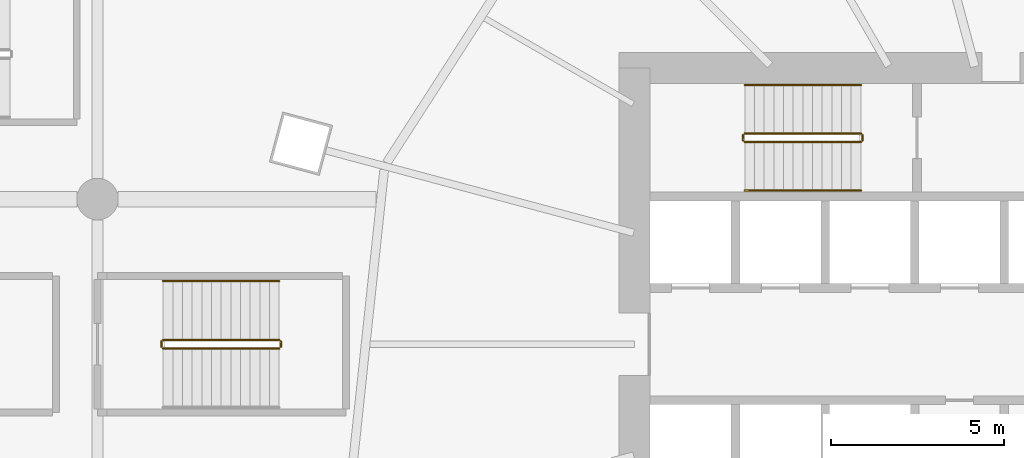
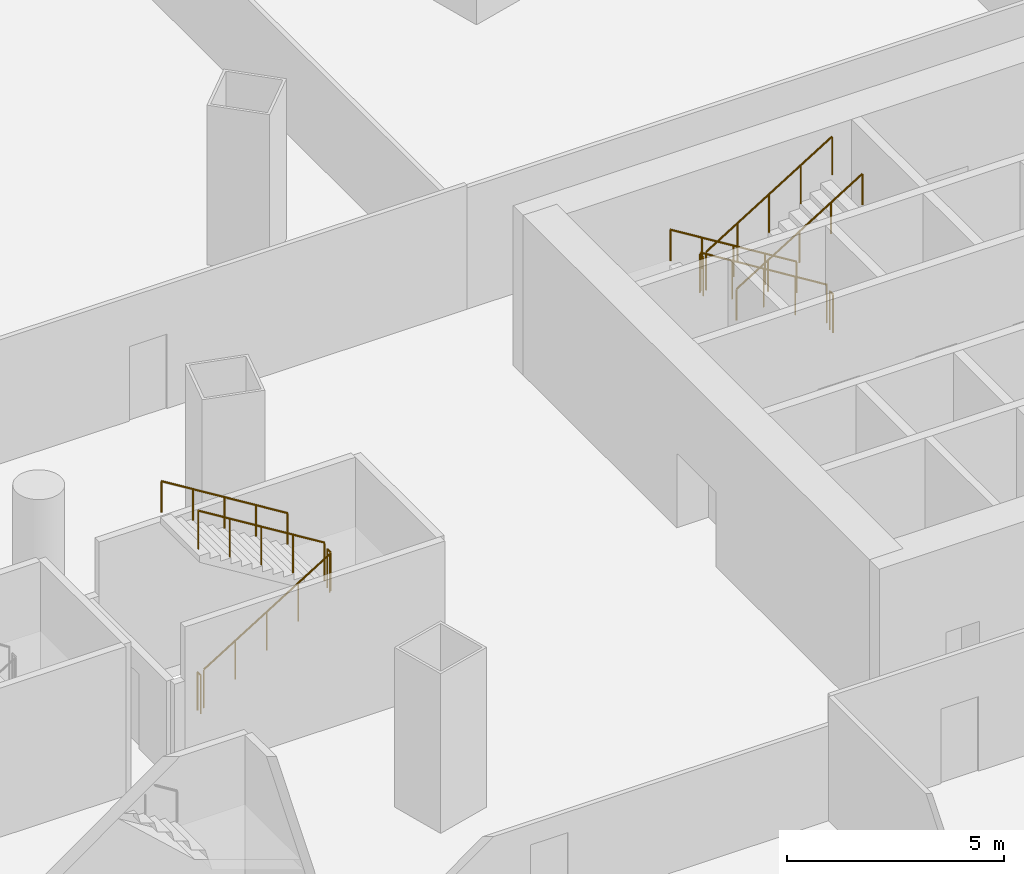
# One storey, part 40 of 43: 11 railings.
"""IFC4 building model written with IfcOpenShell, lengths in metres."""

from ifc_helpers import new_model, si_unit, direction, frame, origin, origin_2d, place, context, subcontext, project, spatial, circle, extrude, material, type_object, element, save


model = new_model("IFC4")

# Units and contexts
model_context = context("Model", 3, precision=1e-05, world=origin(), true_north=direction((0.0, 1.0)))
body_context = subcontext(model_context, "Body", "Model", "MODEL_VIEW")
ifc_project = project(units=[si_unit("LENGTHUNIT", "METRE"), si_unit("AREAUNIT", "SQUARE_METRE"), si_unit("VOLUMEUNIT", "CUBIC_METRE"), si_unit("PLANEANGLEUNIT", "RADIAN"), si_unit("MASSUNIT", "GRAM", prefix="KILO")], contexts=[model_context])

# Site, building, storey
site_placement = place(None, origin())
site = spatial("IfcSite", under=ifc_project, at=site_placement, CompositionType="ELEMENT")
building_placement = place(site_placement, origin())
building = spatial("IfcBuilding", under=site, at=building_placement, Name="Rimbun Link Towers", CompositionType="ELEMENT")
storey_placement = place(building_placement, frame((0.0, 0.0, 12.0)))
storey = spatial("IfcBuildingStorey", under=building, at=storey_placement, Name="L02", CompositionType="ELEMENT", Elevation=12.0)

# Railings
ifc_material_1 = material(Name="Stainless steel grade 316", Category="steel")
railing_type_1 = type_object("IfcRailingType", Name="Stair guard", PredefinedType="GUARDRAIL", material=ifc_material_1)
railing_1_placement = place(storey_placement, frame((26.300048828125, 6.10009765625, 0.173095703125)))
element("IfcRailing", 1, at=railing_1_placement, inside=storey, type_object=railing_type_1, Name="L02 ST3 stair guard 1", PredefinedType="GUARDRAIL", context=body_context, shape_type="SweptSolid", body=[
    extrude(circle(Radius=0.02392578125, at=origin_2d()), frame((0.0, 0.0, 1.076171875), z_axis=(-0.850623216509, 0.0, 0.525775754039), x_axis=(0.0, -1.0, 0.0)), (0.0, 0.0, 1.0), 3.9501953125),
    extrude(circle(Radius=0.02099609375, at=origin_2d()), origin(), (0.0, 0.0, 1.0), 1.052001953125),
    extrude(circle(Radius=0.02099609375, at=origin_2d()), frame((-0.840087890625, 0.0, 0.519287109375)), (0.0, 0.0, 1.0), 1.052001953125),
    extrude(circle(Radius=0.02099609375, at=origin_2d()), frame((-1.68017578125, 0.0, 1.03857421875)), (0.0, 0.0, 1.0), 1.052001953125),
    extrude(circle(Radius=0.02099609375, at=origin_2d()), frame((-2.52001953125, 0.0, 1.5576171875)), (0.0, 0.0, 1.0), 1.052001953125),
    extrude(circle(Radius=0.02099609375, at=origin_2d()), frame((-3.360107421875, 0.0, 2.076904296875)), (0.0, 0.0, 1.0), 1.052001953125),
])
railing_2_placement = place(storey_placement, frame((22.889892578125, 6.050048828125, 2.25)))
element("IfcRailing", 2, at=railing_2_placement, inside=storey, type_object=railing_type_1, Name="L02 ST3 stair guard 2", PredefinedType="GUARDRAIL", context=body_context, shape_type="SweptSolid", body=[
    extrude(circle(Radius=0.02392578125, at=origin_2d()), frame((0.0, 0.0, 1.076171875), z_axis=(0.0, -1.0, 0.0), x_axis=(1.0, 0.0, 0.0)), (0.0, 0.0, 1.0), 0.150146484375),
    extrude(circle(Radius=0.02099609375, at=origin_2d()), origin(), (0.0, 0.0, 1.0), 1.052001953125),
    extrude(circle(Radius=0.02099609375, at=origin_2d()), frame((0.0, -0.150146484375, 0.0)), (0.0, 0.0, 1.0), 1.052001953125),
])
railing_3_placement = place(storey_placement, frame((22.93994140625, 5.85009765625, 2.423095703125)))
element("IfcRailing", 3, at=railing_3_placement, inside=storey, type_object=railing_type_1, Name="L02 ST3 stair guard 3", PredefinedType="GUARDRAIL", context=body_context, shape_type="SweptSolid", body=[
    extrude(circle(Radius=0.02392578125, at=origin_2d()), frame((0.0, 0.0, 1.076171875), z_axis=(0.850623216509, 0.0, 0.525775754039), x_axis=(0.0, 1.0, 0.0)), (0.0, 0.0, 1.0), 3.9501953125),
    extrude(circle(Radius=0.02099609375, at=origin_2d()), origin(), (0.0, 0.0, 1.0), 1.052001953125),
    extrude(circle(Radius=0.02099609375, at=origin_2d()), frame((0.840087890625, 0.0, 0.519287109375)), (0.0, 0.0, 1.0), 1.052001953125),
    extrude(circle(Radius=0.02099609375, at=origin_2d()), frame((1.68017578125, 0.0, 1.03857421875)), (0.0, 0.0, 1.0), 1.052001953125),
    extrude(circle(Radius=0.02099609375, at=origin_2d()), frame((2.52001953125, 0.0, 1.5576171875)), (0.0, 0.0, 1.0), 1.052001953125),
    extrude(circle(Radius=0.02099609375, at=origin_2d()), frame((3.360107421875, 0.0, 2.076904296875)), (0.0, 0.0, 1.0), 1.052001953125),
])
railing_4_placement = place(storey_placement, frame((26.35009765625, 6.050048828125, 0.0)))
element("IfcRailing", 4, at=railing_4_placement, inside=storey, type_object=railing_type_1, Name="L02 ST3 stair guard 4", PredefinedType="GUARDRAIL", context=body_context, shape_type="SweptSolid", body=[
    extrude(circle(Radius=0.02392578125, at=origin_2d()), frame((0.0, 0.0, 1.076171875), z_axis=(0.0, -1.0, 0.0), x_axis=(1.0, 0.0, 0.0)), (0.0, 0.0, 1.0), 0.150146484375),
    extrude(circle(Radius=0.02099609375, at=origin_2d()), origin(), (0.0, 0.0, 1.0), 1.052001953125),
    extrude(circle(Radius=0.02099609375, at=origin_2d()), frame((0.0, -0.150146484375, 0.0)), (0.0, 0.0, 1.0), 1.052001953125),
])
railing_5_placement = place(storey_placement, frame((6.10009765625, -0.125, 0.173095703125)))
element("IfcRailing", 5, at=railing_5_placement, inside=storey, type_object=railing_type_1, Name="L02 PS5 stair guard 1", PredefinedType="GUARDRAIL", context=body_context, shape_type="SweptSolid", body=[
    extrude(circle(Radius=0.02392578125, at=origin_2d()), frame((0.0, 0.0, 1.076171875), z_axis=(0.850606129759, 0.0, 0.525803396734), x_axis=(0.0, 1.0, 0.0)), (0.0, 0.0, 1.0), 3.949951171875),
    extrude(circle(Radius=0.02099609375, at=origin_2d()), origin(), (0.0, 0.0, 1.0), 1.052001953125),
    extrude(circle(Radius=0.02099609375, at=origin_2d()), frame((0.83984375, 0.0, 0.519287109375)), (0.0, 0.0, 1.0), 1.052001953125),
    extrude(circle(Radius=0.02099609375, at=origin_2d()), frame((1.679931640625, 0.0, 1.03857421875)), (0.0, 0.0, 1.0), 1.052001953125),
    extrude(circle(Radius=0.02099609375, at=origin_2d()), frame((2.52001953125, 0.0, 1.5576171875)), (0.0, 0.0, 1.0), 1.052001953125),
    extrude(circle(Radius=0.02099609375, at=origin_2d()), frame((3.35986328125, 0.0, 2.076904296875)), (0.0, 0.0, 1.0), 1.052001953125),
])
railing_6_placement = place(storey_placement, frame((9.510009765625, -0.074951171875, 2.25)))
element("IfcRailing", 6, at=railing_6_placement, inside=storey, type_object=railing_type_1, Name="L02 PS5 stair guard 2", PredefinedType="GUARDRAIL", context=body_context, shape_type="SweptSolid", body=[
    extrude(circle(Radius=0.02392578125, at=origin_2d()), frame((0.0, 0.0, 1.076171875), z_axis=(0.0, 1.0, 0.0), x_axis=(-1.0, 0.0, 0.0)), (0.0, 0.0, 1.0), 0.14990234375),
    extrude(circle(Radius=0.02099609375, at=origin_2d()), origin(), (0.0, 0.0, 1.0), 1.052001953125),
    extrude(circle(Radius=0.02099609375, at=origin_2d()), frame((0.0, 0.14990234375, 0.0)), (0.0, 0.0, 1.0), 1.052001953125),
])
railing_7_placement = place(storey_placement, frame((9.4599609375, 0.125, 2.423095703125)))
element("IfcRailing", 7, at=railing_7_placement, inside=storey, type_object=railing_type_1, Name="L02 PS5 stair guard 3", PredefinedType="GUARDRAIL", context=body_context, shape_type="SweptSolid", body=[
    extrude(circle(Radius=0.02392578125, at=origin_2d()), frame((0.0, 0.0, 1.076171875), z_axis=(-0.850606129759, 0.0, 0.525803396734), x_axis=(0.0, -1.0, 0.0)), (0.0, 0.0, 1.0), 3.949951171875),
    extrude(circle(Radius=0.02099609375, at=origin_2d()), origin(), (0.0, 0.0, 1.0), 1.052001953125),
    extrude(circle(Radius=0.02099609375, at=origin_2d()), frame((-0.83984375, 0.0, 0.519287109375)), (0.0, 0.0, 1.0), 1.052001953125),
    extrude(circle(Radius=0.02099609375, at=origin_2d()), frame((-1.679931640625, 0.0, 1.03857421875)), (0.0, 0.0, 1.0), 1.052001953125),
    extrude(circle(Radius=0.02099609375, at=origin_2d()), frame((-2.52001953125, 0.0, 1.5576171875)), (0.0, 0.0, 1.0), 1.052001953125),
    extrude(circle(Radius=0.02099609375, at=origin_2d()), frame((-3.35986328125, 0.0, 2.076904296875)), (0.0, 0.0, 1.0), 1.052001953125),
])
railing_8_placement = place(storey_placement, frame((6.050048828125, -0.074951171875, 0.0)))
element("IfcRailing", 8, at=railing_8_placement, inside=storey, type_object=railing_type_1, Name="L02 PS5 stair guard 4", PredefinedType="GUARDRAIL", context=body_context, shape_type="SweptSolid", body=[
    extrude(circle(Radius=0.02392578125, at=origin_2d()), frame((0.0, 0.0, 1.076171875), z_axis=(0.0, 1.0, 0.0), x_axis=(-1.0, 0.0, 0.0)), (0.0, 0.0, 1.0), 0.14990234375),
    extrude(circle(Radius=0.02099609375, at=origin_2d()), origin(), (0.0, 0.0, 1.0), 1.052001953125),
    extrude(circle(Radius=0.02099609375, at=origin_2d()), frame((0.0, 0.14990234375, 0.0)), (0.0, 0.0, 1.0), 1.052001953125),
])
ifc_material_2 = material(Name="Stainless steel grade 316", Category="steel")
railing_type_2 = type_object("IfcRailingType", Name="Stair handrail", PredefinedType="HANDRAIL", material=ifc_material_2)
railing_9_placement = place(storey_placement, frame((26.300048828125, 7.5, 0.173095703125)))
element("IfcRailing", 9, at=railing_9_placement, inside=storey, type_object=railing_type_2, Name="L02 ST3 stair handrail 1", PredefinedType="HANDRAIL", context=body_context, shape_type="SweptSolid", body=[
    extrude(circle(Radius=0.02392578125, at=origin_2d()), frame((0.0, 0.0, 0.8759765625), z_axis=(-0.850623216509, 0.0, 0.525775754039), x_axis=(0.0, -1.0, 0.0)), (0.0, 0.0, 1.0), 3.9501953125),
    extrude(circle(Radius=0.02099609375, at=origin_2d()), origin(), (0.0, 0.0, 1.0), 0.851806640625),
    extrude(circle(Radius=0.02099609375, at=origin_2d()), frame((-0.840087890625, 0.0, 0.519287109375)), (0.0, 0.0, 1.0), 0.851806640625),
    extrude(circle(Radius=0.02099609375, at=origin_2d()), frame((-1.68017578125, 0.0, 1.03857421875)), (0.0, 0.0, 1.0), 0.851806640625),
    extrude(circle(Radius=0.02099609375, at=origin_2d()), frame((-2.52001953125, 0.0, 1.5576171875)), (0.0, 0.0, 1.0), 0.851806640625),
    extrude(circle(Radius=0.02099609375, at=origin_2d()), frame((-3.360107421875, 0.0, 2.076904296875)), (0.0, 0.0, 1.0), 0.851806640625),
])
railing_10_placement = place(storey_placement, frame((22.93994140625, 4.449951171875, 2.423095703125)))
element("IfcRailing", 10, at=railing_10_placement, inside=storey, type_object=railing_type_2, Name="L02 ST3 stair handrail 2", PredefinedType="HANDRAIL", context=body_context, shape_type="SweptSolid", body=[
    extrude(circle(Radius=0.02392578125, at=origin_2d()), frame((0.0, 0.0, 0.8759765625), z_axis=(0.850623216509, 0.0, 0.525775754039), x_axis=(0.0, 1.0, 0.0)), (0.0, 0.0, 1.0), 3.9501953125),
    extrude(circle(Radius=0.02099609375, at=origin_2d()), origin(), (0.0, 0.0, 1.0), 0.851806640625),
    extrude(circle(Radius=0.02099609375, at=origin_2d()), frame((0.840087890625, 0.0, 0.519287109375)), (0.0, 0.0, 1.0), 0.851806640625),
    extrude(circle(Radius=0.02099609375, at=origin_2d()), frame((1.68017578125, 0.0, 1.03857421875)), (0.0, 0.0, 1.0), 0.851806640625),
    extrude(circle(Radius=0.02099609375, at=origin_2d()), frame((2.52001953125, 0.0, 1.5576171875)), (0.0, 0.0, 1.0), 0.851806640625),
    extrude(circle(Radius=0.02099609375, at=origin_2d()), frame((3.360107421875, 0.0, 2.076904296875)), (0.0, 0.0, 1.0), 0.851806640625),
])
railing_11_placement = place(storey_placement, frame((9.4599609375, 1.824951171875, 2.423095703125)))
element("IfcRailing", 11, at=railing_11_placement, inside=storey, type_object=railing_type_2, Name="L02 PS5 stair handrail 2", PredefinedType="HANDRAIL", context=body_context, shape_type="SweptSolid", body=[
    extrude(circle(Radius=0.02392578125, at=origin_2d()), frame((0.0, 0.0, 0.8759765625), z_axis=(-0.850606129759, 0.0, 0.525803396734), x_axis=(0.0, -1.0, 0.0)), (0.0, 0.0, 1.0), 3.949951171875),
    extrude(circle(Radius=0.02099609375, at=origin_2d()), origin(), (0.0, 0.0, 1.0), 0.851806640625),
    extrude(circle(Radius=0.02099609375, at=origin_2d()), frame((-0.83984375, 0.0, 0.519287109375)), (0.0, 0.0, 1.0), 0.851806640625),
    extrude(circle(Radius=0.02099609375, at=origin_2d()), frame((-1.679931640625, 0.0, 1.03857421875)), (0.0, 0.0, 1.0), 0.851806640625),
    extrude(circle(Radius=0.02099609375, at=origin_2d()), frame((-2.52001953125, 0.0, 1.5576171875)), (0.0, 0.0, 1.0), 0.851806640625),
    extrude(circle(Radius=0.02099609375, at=origin_2d()), frame((-3.35986328125, 0.0, 2.076904296875)), (0.0, 0.0, 1.0), 0.851806640625),
])

save(model, "model.ifc")
